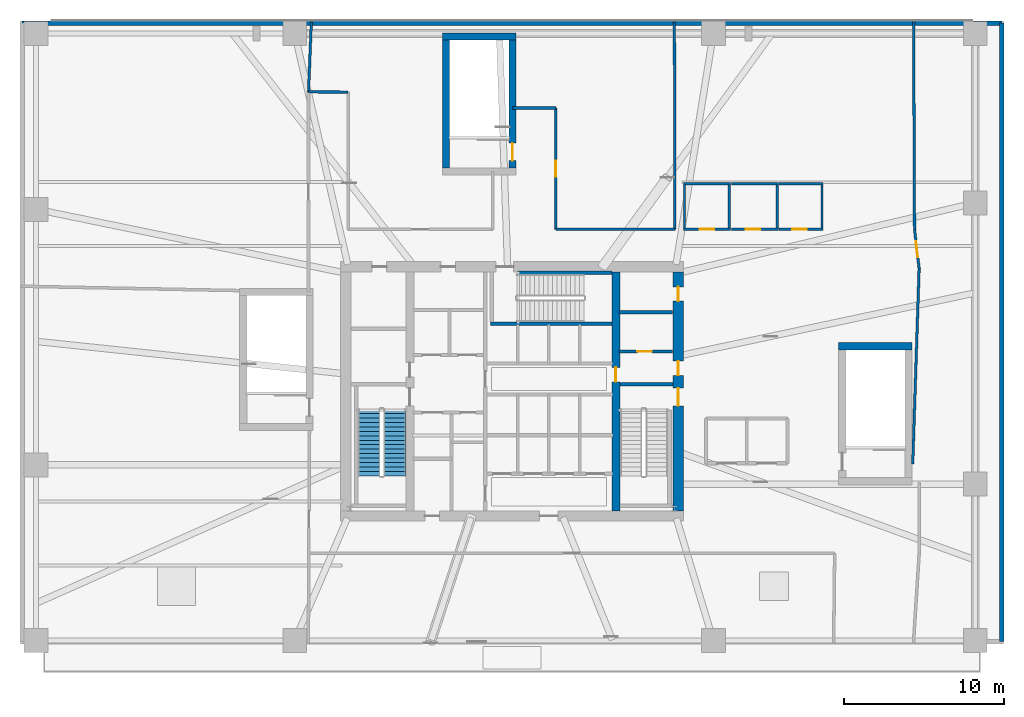
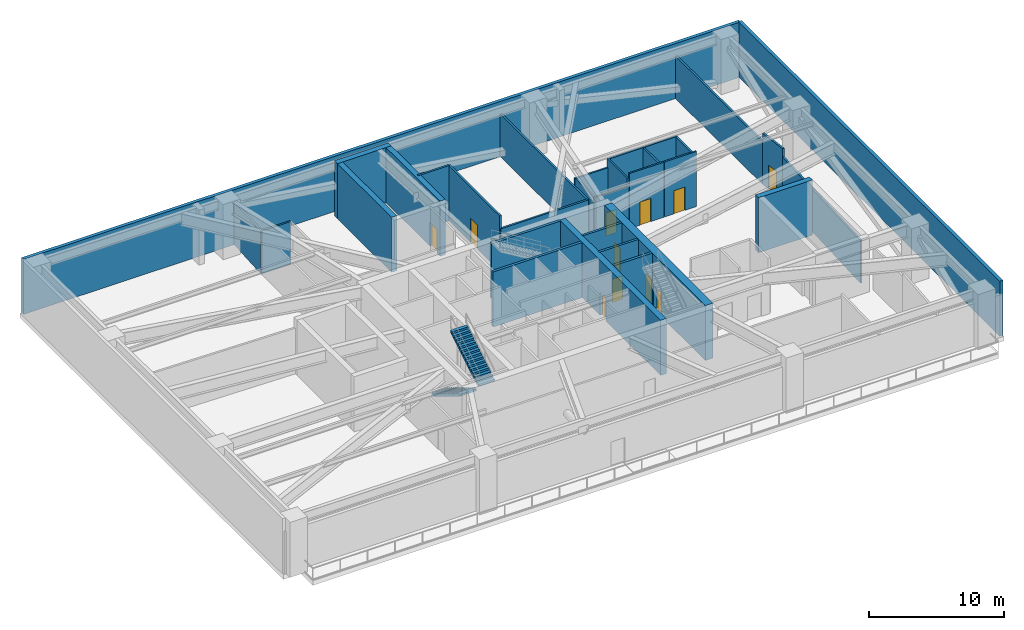
# One storey, part 6 of 10: 32 walls, 11 doors, 2 stair flights, 11 openings, 1 element without a shape of its own.
"""IFC4 building model written with IfcOpenShell, lengths in metres."""

from ifc_helpers import new_model, si_unit, direction, frame, frame_2d, origin, place, context, subcontext, project, spatial, polyline, rectangle, outline, extrude, material, layer, layer_set, type_object, element, fill, aggregate, save


model = new_model("IFC4")

# Units and contexts
model_context = context("Model", 3, precision=1e-05, world=origin(), true_north=direction((0.0, 1.0)))
body_context = subcontext(model_context, "Body", "Model", "MODEL_VIEW")
ifc_project = project(units=[si_unit("LENGTHUNIT", "METRE"), si_unit("AREAUNIT", "SQUARE_METRE"), si_unit("VOLUMEUNIT", "CUBIC_METRE"), si_unit("PLANEANGLEUNIT", "RADIAN"), si_unit("MASSUNIT", "GRAM", prefix="KILO")], contexts=[model_context])

# Site, building, storey
site_placement = place(None, origin())
site = spatial("IfcSite", under=ifc_project, at=site_placement, CompositionType="ELEMENT")
building_placement = place(site_placement, origin())
building = spatial("IfcBuilding", under=site, at=building_placement, Name="Qarnah Convention Tower", CompositionType="ELEMENT")
storey_placement = place(building_placement, frame((0.0, 0.0, 21.60009765625)))
storey = spatial("IfcBuildingStorey", under=building, at=storey_placement, Name="L04", CompositionType="ELEMENT", Elevation=21.60009765625)

# Wall, openings, doors
ifc_material_1 = material(Name="Concrete C60/75", Category="concrete")
ifc_layer_1 = layer(ifc_material_1, 0.64990234375)
ifc_layer_set_1 = layer_set([ifc_layer_1], Name="Concrete C60/75")
wall_type_1 = type_object("IfcWallType", Name="WL-CORE-650", PredefinedType="SHEAR", material=ifc_layer_set_1)
wall_1_placement = place(storey_placement, frame((47.60009765625, 18.925048828125, 0.0), z_axis=(0.0, 0.0, 1.0), x_axis=(0.0, 1.0, 0.0)))
wall_1 = element("IfcWall", 1, at=wall_1_placement, inside=storey, type_object=wall_type_1, Name="L04 core east shear wall", PredefinedType="SHEAR", context=body_context, shape_type="SweptSolid", body=[
    extrude(rectangle(XDim=14.949951171875, YDim=0.64990234375, at=frame_2d((7.47509765625, 0.0))), origin(), (0.0, 0.0, 1.0), 4.97998046875),
])
opening_1_placement = place(wall_1_placement, frame((6.574951171875, 0.0, 0.0)))
opening_1 = element("IfcOpeningElement", 2, at=opening_1_placement, cuts=wall_1, Name="Opening D-0402", PredefinedType="OPENING", context=body_context, shape_type="SweptSolid", body=[
    extrude(rectangle(XDim=1.10009765625, YDim=2.14990234375, at=frame_2d((0.550048828125, 1.074951171875))), frame((0.0, 0.3349609375, 0.0), z_axis=(0.0, -1.0, 0.0), x_axis=(1.0, 0.0, 0.0)), (0.0, 0.0, 1.0), 0.669921875),
])
opening_2_placement = place(wall_1_placement, frame((8.47509765625, 0.0, 0.0)))
opening_2 = element("IfcOpeningElement", 3, at=opening_2_placement, cuts=wall_1, Name="Opening D-0406", PredefinedType="OPENING", context=body_context, shape_type="SweptSolid", body=[
    extrude(rectangle(XDim=0.89990234375, YDim=2.10009765625, at=frame_2d((0.449951171875, 1.050048828125))), frame((0.0, 0.3349609375, 0.0), z_axis=(0.0, -1.0, 0.0), x_axis=(1.0, 0.0, 0.0)), (0.0, 0.0, 1.0), 0.669921875),
])
opening_3_placement = place(wall_1_placement, frame((13.125, 0.0, 0.0)))
opening_3 = element("IfcOpeningElement", 4, at=opening_3_placement, cuts=wall_1, Name="Opening D-0412", PredefinedType="OPENING", context=body_context, shape_type="SweptSolid", body=[
    extrude(rectangle(XDim=0.89990234375, YDim=2.10009765625, at=frame_2d((0.449951171875, 1.050048828125))), frame((0.0, 0.3349609375, 0.0), z_axis=(0.0, -1.0, 0.0), x_axis=(1.0, 0.0, 0.0)), (0.0, 0.0, 1.0), 0.669921875),
])
ifc_material_2 = material(Name="Structural steel S355JR", Category="steel")
door_type_1 = type_object("IfcDoorType", Name="DT-RISER-900", OperationType="NOTDEFINED", PredefinedType="DOOR", material=ifc_material_2)
door_1_placement = place(opening_2_placement, origin())
door_1 = element("IfcDoor", 5, at=door_1_placement, inside=storey, type_object=door_type_1, Name="Door D-0406", OperationType="SINGLE_SWING_LEFT", OverallHeight=2.10009765625, OverallWidth=0.89990234375, PredefinedType="DOOR", context=body_context, shape_type="SweptSolid", body=[
    extrude(rectangle(XDim=0.89990234375, YDim=2.10009765625, at=frame_2d((0.449951171875, 1.050048828125))), frame((0.0, 0.02490234375, 0.0), z_axis=(0.0, -1.0, 0.0), x_axis=(1.0, 0.0, 0.0)), (0.0, 0.0, 1.0), 0.050048828125),
])
fill(opening_2, door_1)
door_2_placement = place(opening_3_placement, origin())
door_2 = element("IfcDoor", 6, at=door_2_placement, inside=storey, type_object=door_type_1, Name="Door D-0412", OperationType="SINGLE_SWING_LEFT", OverallHeight=2.10009765625, OverallWidth=0.89990234375, PredefinedType="DOOR", context=body_context, shape_type="SweptSolid", body=[
    extrude(rectangle(XDim=0.89990234375, YDim=2.10009765625, at=frame_2d((0.449951171875, 1.050048828125))), frame((0.0, 0.02490234375, 0.0), z_axis=(0.0, -1.0, 0.0), x_axis=(1.0, 0.0, 0.0)), (0.0, 0.0, 1.0), 0.050048828125),
])
fill(opening_3, door_2)
door_type_2 = type_object("IfcDoorType", Name="DT-STAIR-1100", OperationType="NOTDEFINED", PredefinedType="DOOR", material=ifc_material_2)
door_3_placement = place(opening_1_placement, origin())
door_3 = element("IfcDoor", 7, at=door_3_placement, inside=storey, type_object=door_type_2, Name="Door D-0402", OperationType="SINGLE_SWING_LEFT", OverallHeight=2.14990234375, OverallWidth=1.10009765625, PredefinedType="DOOR", context=body_context, shape_type="SweptSolid", body=[
    extrude(rectangle(XDim=1.10009765625, YDim=2.14990234375, at=frame_2d((0.550048828125, 1.074951171875))), frame((0.0, 0.02490234375, 0.0), z_axis=(0.0, -1.0, 0.0), x_axis=(1.0, 0.0, 0.0)), (0.0, 0.0, 1.0), 0.050048828125),
])
fill(opening_1, door_3)

# Wall, opening, door
ifc_layer_2 = layer(ifc_material_1, 0.5)
ifc_layer_set_2 = layer_set([ifc_layer_2], Name="Concrete C60/75")
wall_type_2 = type_object("IfcWallType", Name="WL-CORE-INT-400", PredefinedType="SHEAR", material=ifc_layer_set_2)
wall_2_placement = place(storey_placement, frame((43.699951171875, 18.925048828125, 0.0), z_axis=(0.0, 0.0, 1.0), x_axis=(0.0, 1.0, 0.0)))
wall_2 = element("IfcWall", 8, at=wall_2_placement, inside=storey, type_object=wall_type_2, Name="L04 core east spine shear wall", PredefinedType="SHEAR", context=body_context, shape_type="SweptSolid", body=[
    extrude(rectangle(XDim=14.949951171875, YDim=0.5, at=frame_2d((7.47509765625, 0.0))), origin(), (0.0, 0.0, 1.0), 4.97998046875),
])
opening_4_placement = place(wall_2_placement, frame((8.074951171875, 0.0, 0.0)))
opening_4 = element("IfcOpeningElement", 9, at=opening_4_placement, cuts=wall_2, Name="Opening D-0405", PredefinedType="OPENING", context=body_context, shape_type="SweptSolid", body=[
    extrude(rectangle(XDim=0.89990234375, YDim=2.10009765625, at=frame_2d((0.449951171875, 1.050048828125))), frame((0.0, 0.260009765625, 0.0), z_axis=(0.0, -1.0, 0.0), x_axis=(1.0, 0.0, 0.0)), (0.0, 0.0, 1.0), 0.52001953125),
])
door_4_placement = place(opening_4_placement, origin())
door_4 = element("IfcDoor", 10, at=door_4_placement, inside=storey, type_object=door_type_1, Name="Door D-0405", OperationType="SINGLE_SWING_RIGHT", OverallHeight=2.10009765625, OverallWidth=0.89990234375, PredefinedType="DOOR", context=body_context, shape_type="SweptSolid", body=[
    extrude(rectangle(XDim=0.89990234375, YDim=2.10009765625, at=frame_2d((0.449951171875, 1.050048828125))), frame((0.0, 0.02490234375, 0.0), z_axis=(0.0, -1.0, 0.0), x_axis=(1.0, 0.0, 0.0)), (0.0, 0.0, 1.0), 0.050048828125),
])
fill(opening_4, door_4)

ifc_material_3 = material(Name="Concrete C45/55", Category="concrete")
ifc_layer_3 = layer(ifc_material_3, 0.199951171875)
ifc_layer_set_3 = layer_set([ifc_layer_3], Name="Concrete C45/55")
wall_type_3 = type_object("IfcWallType", Name="WL-CORE-PART-200", PredefinedType="SOLIDWALL", material=ifc_layer_set_3)
wall_3_placement = place(storey_placement, frame((43.89990234375, 28.89990234375, 0.0), z_axis=(0.0, 0.0, 1.0), x_axis=(1.0, 0.0, 0.0)))
wall_3 = element("IfcWall", 11, at=wall_3_placement, inside=storey, type_object=wall_type_3, Name="L04 interior wall IW-L04-EVSTN", PredefinedType="SOLIDWALL", context=body_context, shape_type="SweptSolid", body=[
    extrude(rectangle(XDim=3.35009765625, YDim=0.199951171875, at=frame_2d((1.675048828125, 0.0))), origin(), (0.0, 0.0, 1.0), 4.97998046875),
])
opening_5_placement = place(wall_3_placement, frame((1.14990234375, 0.0, 0.0)))
opening_5 = element("IfcOpeningElement", 12, at=opening_5_placement, cuts=wall_3, Name="Opening D-0411", PredefinedType="OPENING", context=body_context, shape_type="SweptSolid", body=[
    extrude(rectangle(XDim=0.89990234375, YDim=2.10009765625, at=frame_2d((0.449951171875, 1.050048828125))), frame((0.0, 0.10986328125, 0.0), z_axis=(0.0, -1.0, 0.0), x_axis=(1.0, 0.0, 0.0)), (0.0, 0.0, 1.0), 0.219970703125),
])
door_5_placement = place(opening_5_placement, origin())
door_5 = element("IfcDoor", 13, at=door_5_placement, inside=storey, type_object=door_type_1, Name="Door D-0411", OperationType="SINGLE_SWING_RIGHT", OverallHeight=2.10009765625, OverallWidth=0.89990234375, PredefinedType="DOOR", context=body_context, shape_type="SweptSolid", body=[
    extrude(rectangle(XDim=0.89990234375, YDim=2.10009765625, at=frame_2d((0.449951171875, 1.050048828125))), frame((0.0, 0.02490234375, 0.0), z_axis=(0.0, -1.0, 0.0), x_axis=(1.0, 0.0, 0.0)), (0.0, 0.0, 1.0), 0.050048828125),
])
fill(opening_5, door_5)

# Walls
wall_4_placement = place(storey_placement, frame((43.89990234375, 31.35009765625, 0.0), z_axis=(0.0, 0.0, 1.0), x_axis=(1.0, 0.0, 0.0)))
element("IfcWall", 14, at=wall_4_placement, inside=storey, type_object=wall_type_3, Name="L04 interior wall IW-L04-WTRN", PredefinedType="SOLIDWALL", context=body_context, shape_type="SweptSolid", body=[
    extrude(rectangle(XDim=3.35009765625, YDim=0.199951171875, at=frame_2d((1.675048828125, 0.0))), origin(), (0.0, 0.0, 1.0), 4.97998046875),
])
ifc_layer_4 = layer(ifc_material_1, 0.219970703125)
ifc_layer_set_4 = layer_set([ifc_layer_4], Name="Concrete C60/75")
wall_type_4 = type_object("IfcWallType", Name="WL-CORE-STAIR-220", PredefinedType="SHEAR", material=ifc_layer_set_4)
wall_5_placement = place(storey_placement, frame((43.949951171875, 26.860107421875, 0.0), z_axis=(0.0, 0.0, 1.0), x_axis=(1.0, 0.0, 0.0)))
element("IfcWall", 15, at=wall_5_placement, inside=storey, type_object=wall_type_4, Name="L04 stair shaft shear wall SW-L04-ST2N", PredefinedType="SHEAR", context=body_context, shape_type="SweptSolid", body=[
    extrude(rectangle(XDim=3.324951171875, YDim=0.219970703125, at=frame_2d((1.66259765625, 0.0))), origin(), (0.0, 0.0, 1.0), 4.97998046875),
])
wall_6_placement = place(storey_placement, frame((35.840087890625, 30.639892578125, 0.0), z_axis=(0.0, 0.0, 1.0), x_axis=(1.0, 0.0, 0.0)))
element("IfcWall", 16, at=wall_6_placement, inside=storey, type_object=wall_type_4, Name="L04 stair shaft shear wall SW-L04-ST3S", PredefinedType="SHEAR", context=body_context, shape_type="SweptSolid", body=[
    extrude(rectangle(XDim=7.60986328125, YDim=0.219970703125, at=frame_2d((3.804931640625, 0.0))), origin(), (0.0, 0.0, 1.0), 4.97998046875),
])
wall_7_placement = place(storey_placement, frame((37.550048828125, 33.840087890625, 0.0), z_axis=(0.0, 0.0, 1.0), x_axis=(1.0, 0.0, 0.0)))
element("IfcWall", 17, at=wall_7_placement, inside=storey, type_object=wall_type_4, Name="L04 stair shaft shear wall SW-L04-ST3N", PredefinedType="SHEAR", context=body_context, shape_type="SweptSolid", body=[
    extrude(rectangle(XDim=5.89990234375, YDim=0.219970703125, at=frame_2d((2.949951171875, 0.0))), origin(), (0.0, 0.0, 1.0), 4.97998046875),
])
ifc_material_4 = material(Name="Gypsum partition board")
ifc_layer_5 = layer(ifc_material_4, 0.159912109375)
ifc_layer_set_5 = layer_set([ifc_layer_5], Name="Gypsum partition board")
wall_type_5 = type_object("IfcWallType", Name="WL-CORR-160", PredefinedType="PARTITIONING", material=ifc_layer_set_5)
wall_8_placement = place(storey_placement, frame((24.4599609375, 45.139892578125, 0.0), z_axis=(0.0, 0.0, 1.0), x_axis=(0.040507266643, 0.999179243854, 0.0)))
element("IfcWall", 18, at=wall_8_placement, inside=storey, type_object=wall_type_5, Name="L04 interior wall IW-L04-R-14", PredefinedType="PARTITIONING", context=body_context, shape_type="SweptSolid", body=[
    extrude(rectangle(XDim=4.393798828125, YDim=0.159912109375, at=frame_2d((2.19677734375, 0.0))), origin(), (0.0, 0.0, 1.0), 3.846923828125),
])
wall_9_placement = place(storey_placement, frame((24.4599609375, 45.14599609375, 0.0), z_axis=(0.0, 0.0, 1.0), x_axis=(0.999996971472, -0.002461106939, 0.0)))
element("IfcWall", 19, at=wall_9_placement, inside=storey, type_object=wall_type_5, Name="L04 interior wall IW-L04-R-17", PredefinedType="PARTITIONING", context=body_context, shape_type="SweptSolid", body=[
    extrude(rectangle(XDim=2.47998046875, YDim=0.159912109375, at=frame_2d((1.239990234375, 0.0))), origin(), (0.0, 0.0, 1.0), 3.846923828125),
])
wall_10_placement = place(storey_placement, frame((37.22509765625, 44.139892578125, 0.0), z_axis=(0.0, 0.0, 1.0), x_axis=(1.0, 0.0, 0.0)))
element("IfcWall", 20, at=wall_10_placement, inside=storey, type_object=wall_type_5, Name="L04 interior wall IW-L04-R-21", PredefinedType="PARTITIONING", context=body_context, shape_type="SweptSolid", body=[
    extrude(rectangle(XDim=2.71484375, YDim=0.159912109375, at=frame_2d((1.357421875, 0.0))), origin(), (0.0, 0.0, 1.0), 4.97998046875),
])

# Wall, opening, door
wall_11_placement = place(storey_placement, frame((39.93994140625, 44.139892578125, 0.0), z_axis=(0.0, 0.0, 1.0), x_axis=(0.0, -1.0, 0.0)))
wall_11 = element("IfcWall", 21, at=wall_11_placement, inside=storey, type_object=wall_type_5, Name="L04 interior wall IW-L04-R-22", PredefinedType="PARTITIONING", context=body_context, shape_type="SweptSolid", body=[
    extrude(rectangle(XDim=7.599853515625, YDim=0.159912109375, at=frame_2d((3.7998046875, 0.0))), origin(), (0.0, 0.0, 1.0), 4.97998046875),
])
opening_6_placement = place(wall_11_placement, frame((3.300048828125, 0.0, 0.0)))
opening_6 = element("IfcOpeningElement", 22, at=opening_6_placement, cuts=wall_11, Name="Opening D-0426", PredefinedType="OPENING", context=body_context, shape_type="SweptSolid", body=[
    extrude(rectangle(XDim=1.0, YDim=2.14990234375, at=frame_2d((0.5, 1.074951171875))), frame((0.0, 0.08984375, 0.0), z_axis=(0.0, -1.0, 0.0), x_axis=(1.0, 0.0, 0.0)), (0.0, 0.0, 1.0), 0.179931640625),
])
ifc_material_5 = material(Name="Oak timber veneer", Category="wood")
door_type_3 = type_object("IfcDoorType", Name="DT-OFFICE-1000", OperationType="NOTDEFINED", PredefinedType="DOOR", material=ifc_material_5)
door_6_placement = place(opening_6_placement, origin())
door_6 = element("IfcDoor", 23, at=door_6_placement, inside=storey, type_object=door_type_3, Name="Door D-0426", OperationType="SINGLE_SWING_LEFT", OverallHeight=2.14990234375, OverallWidth=1.0, PredefinedType="DOOR", context=body_context, shape_type="SweptSolid", body=[
    extrude(rectangle(XDim=1.0, YDim=2.14990234375, at=frame_2d((0.5, 1.074951171875))), frame((0.0, 0.02490234375, 0.0), z_axis=(0.0, -1.0, 0.0), x_axis=(1.0, 0.0, 0.0)), (0.0, 0.0, 1.0), 0.050048828125),
])
fill(opening_6, door_6)

# Walls
wall_12_placement = place(storey_placement, frame((39.93994140625, 36.5400390625, 0.0), z_axis=(0.0, 0.0, 1.0), x_axis=(1.0, 0.0, 0.0)))
element("IfcWall", 24, at=wall_12_placement, inside=storey, type_object=wall_type_5, Name="L04 interior wall IW-L04-R-23", PredefinedType="PARTITIONING", context=body_context, shape_type="SweptSolid", body=[
    extrude(rectangle(XDim=7.4599609375, YDim=0.159912109375, at=frame_2d((3.72998046875, 0.0))), origin(), (0.0, 0.0, 1.0), 3.846923828125),
])
wall_13_placement = place(storey_placement, frame((47.39990234375, 36.5400390625, 0.0), z_axis=(0.0, 0.0, 1.0), x_axis=(-0.002462629999, 0.999996967722, 0.0)))
element("IfcWall", 25, at=wall_13_placement, inside=storey, type_object=wall_type_5, Name="L04 interior wall IW-L04-R-24", PredefinedType="PARTITIONING", context=body_context, shape_type="SweptSolid", body=[
    extrude(rectangle(XDim=12.987060546875, YDim=0.159912109375, at=frame_2d((6.49365234375, 0.0))), origin(), (0.0, 0.0, 1.0), 3.846923828125),
])
wall_14_placement = place(storey_placement, frame((62.341064453125, 49.5458984375, 0.0), z_axis=(0.0, 0.0, 1.0), x_axis=(0.004523906252, -0.999989767084, 0.0)))
element("IfcWall", 26, at=wall_14_placement, inside=storey, type_object=wall_type_5, Name="L04 interior wall IW-L04-R-25", PredefinedType="PARTITIONING", context=body_context, shape_type="SweptSolid", body=[
    extrude(rectangle(XDim=13.006103515625, YDim=0.159912109375, at=frame_2d((6.5029296875, 0.0))), origin(), (0.0, 0.0, 1.0), 3.846923828125),
])

# Wall, opening, door
wall_15_placement = place(storey_placement, frame((62.39990234375, 36.5400390625, 0.0), z_axis=(0.0, 0.0, 1.0), x_axis=(0.116160443909, -0.993230462315, 0.0)))
wall_15 = element("IfcWall", 27, at=wall_15_placement, inside=storey, type_object=wall_type_5, Name="L04 interior wall IW-L04-R-26", PredefinedType="PARTITIONING", context=body_context, shape_type="SweptSolid", body=[
    extrude(rectangle(XDim=2.496826171875, YDim=0.159912109375, at=frame_2d((1.24853515625, 0.0))), origin(), (0.0, 0.0, 1.0), 4.60888671875),
])
opening_7_placement = place(wall_15_placement, frame((0.748046875, 0.0, 0.0)))
opening_7 = element("IfcOpeningElement", 28, at=opening_7_placement, cuts=wall_15, Name="Opening D-0427", PredefinedType="OPENING", context=body_context, shape_type="SweptSolid", body=[
    extrude(rectangle(XDim=1.0, YDim=2.14990234375, at=frame_2d((0.5, 1.074951171875))), frame((0.0, 0.08984375, 0.0), z_axis=(0.0, -1.0, 0.0), x_axis=(1.0, 0.0, 0.0)), (0.0, 0.0, 1.0), 0.179931640625),
])
door_7_placement = place(opening_7_placement, origin())
door_7 = element("IfcDoor", 29, at=door_7_placement, inside=storey, type_object=door_type_3, Name="Door D-0427", OperationType="SINGLE_SWING_RIGHT", OverallHeight=2.14990234375, OverallWidth=1.0, PredefinedType="DOOR", context=body_context, shape_type="SweptSolid", body=[
    extrude(rectangle(XDim=1.0, YDim=2.14990234375, at=frame_2d((0.5, 1.074951171875))), frame((0.0, 0.02490234375, 0.0), z_axis=(0.0, -1.0, 0.0), x_axis=(1.0, 0.0, 0.0)), (0.0, 0.0, 1.0), 0.050048828125),
])
fill(opening_7, door_7)

# Walls
wall_16_placement = place(storey_placement, frame((62.68603515625, 34.093017578125, 0.0), z_axis=(0.0, 0.0, 1.0), x_axis=(-0.032729804283, -0.999464236435, 0.0)))
element("IfcWall", 30, at=wall_16_placement, inside=storey, type_object=wall_type_5, Name="L04 interior wall IW-L04-R-27", PredefinedType="PARTITIONING", context=body_context, shape_type="SweptSolid", body=[
    extrude(rectangle(XDim=12.255615234375, YDim=0.159912109375, at=frame_2d((6.1279296875, 0.0))), origin(), (0.0, 0.0, 1.0), 3.846923828125),
])
ifc_material_6 = material(Name="Precast concrete C45/55", Category="concrete")
ifc_layer_6 = layer(ifc_material_6, 0.280029296875)
ifc_layer_set_6 = layer_set([ifc_layer_6], Name="Precast concrete C45/55")
wall_type_6 = type_object("IfcWallType", Name="WL-EXT-POD-280", PredefinedType="SOLIDWALL", material=ifc_layer_set_6)
wall_17_placement = place(storey_placement, frame((6.5400390625, 49.4599609375, 0.0), z_axis=(0.0, 0.0, 1.0), x_axis=(1.0, 0.0, 0.0)))
element("IfcWall", 31, at=wall_17_placement, inside=storey, type_object=wall_type_6, Name="L04 precast facade wall N", PredefinedType="SOLIDWALL", context=body_context, shape_type="SweptSolid", body=[
    extrude(rectangle(XDim=61.320068359375, YDim=0.280029296875, at=frame_2d((30.66015625, 0.0))), origin(), (0.0, 0.0, 1.0), 4.97998046875),
])
wall_18_placement = place(storey_placement, frame((67.860107421875, 49.4599609375, 0.0), z_axis=(0.0, 0.0, 1.0), x_axis=(0.0, -1.0, 0.0)))
element("IfcWall", 32, at=wall_18_placement, inside=storey, type_object=wall_type_6, Name="L04 precast facade wall E", PredefinedType="SOLIDWALL", context=body_context, shape_type="SweptSolid", body=[
    extrude(rectangle(XDim=38.719970703125, YDim=0.280029296875, at=frame_2d((19.35986328125, 0.0))), origin(), (0.0, 0.0, 1.0), 4.97998046875),
])
ifc_layer_7 = layer(ifc_material_1, 0.449951171875)
ifc_layer_set_7 = layer_set([ifc_layer_7], Name="Concrete C60/75")
wall_type_7 = type_object("IfcWallType", Name="WL-POD-CORE-450", PredefinedType="SHEAR", material=ifc_layer_set_7)
wall_19_placement = place(storey_placement, frame((57.64990234375, 29.22509765625, 0.0), z_axis=(0.0, 0.0, 1.0), x_axis=(1.0, 0.0, 0.0)))
element("IfcWall", 33, at=wall_19_placement, inside=storey, type_object=wall_type_7, Name="L04 podium stair ST-4 north wall", PredefinedType="SHEAR", context=body_context, shape_type="SweptSolid", body=[
    extrude(rectangle(XDim=4.60009765625, YDim=0.449951171875, at=frame_2d((2.300048828125, 0.0))), origin(), (0.0, 0.0, 1.0), 4.97998046875),
])
wall_20_placement = place(storey_placement, frame((32.85009765625, 48.625, 0.0), z_axis=(0.0, 0.0, 1.0), x_axis=(1.0, 0.0, 0.0)))
element("IfcWall", 34, at=wall_20_placement, inside=storey, type_object=wall_type_7, Name="L04 podium stair ST-6 north wall", PredefinedType="SHEAR", context=body_context, shape_type="SweptSolid", body=[
    extrude(rectangle(XDim=4.599853515625, YDim=0.449951171875, at=frame_2d((2.2998046875, 0.0))), origin(), (0.0, 0.0, 1.0), 4.97998046875),
])
wall_21_placement = place(storey_placement, frame((33.074951171875, 40.39990234375, 0.0), z_axis=(0.0, 0.0, 1.0), x_axis=(0.0, 1.0, 0.0)))
element("IfcWall", 35, at=wall_21_placement, inside=storey, type_object=wall_type_7, Name="L04 podium stair ST-6 west wall", PredefinedType="SHEAR", context=body_context, shape_type="SweptSolid", body=[
    extrude(rectangle(XDim=8.0, YDim=0.449951171875, at=frame_2d((4.0, 0.0))), origin(), (0.0, 0.0, 1.0), 4.97998046875),
])

# Wall, opening, door
wall_22_placement = place(storey_placement, frame((37.22509765625, 40.39990234375, 0.0), z_axis=(0.0, 0.0, 1.0), x_axis=(0.0, 1.0, 0.0)))
wall_22 = element("IfcWall", 36, at=wall_22_placement, inside=storey, type_object=wall_type_7, Name="L04 podium stair ST-6 east wall", PredefinedType="SHEAR", context=body_context, shape_type="SweptSolid", body=[
    extrude(rectangle(XDim=8.0, YDim=0.449951171875, at=frame_2d((4.0, 0.0))), origin(), (0.0, 0.0, 1.0), 4.97998046875),
])
opening_8_placement = place(wall_22_placement, frame((0.449951171875, 0.0, 0.0)))
opening_8 = element("IfcOpeningElement", 37, at=opening_8_placement, cuts=wall_22, Name="Opening D-0418", PredefinedType="OPENING", context=body_context, shape_type="SweptSolid", body=[
    extrude(rectangle(XDim=1.10009765625, YDim=2.14990234375, at=frame_2d((0.550048828125, 1.074951171875))), frame((0.0, 0.23486328125, 0.0), z_axis=(0.0, -1.0, 0.0), x_axis=(1.0, 0.0, 0.0)), (0.0, 0.0, 1.0), 0.469970703125),
])
door_8_placement = place(opening_8_placement, origin())
door_8 = element("IfcDoor", 38, at=door_8_placement, inside=storey, type_object=door_type_2, Name="Door D-0418", OperationType="SINGLE_SWING_LEFT", OverallHeight=2.14990234375, OverallWidth=1.10009765625, PredefinedType="DOOR", context=body_context, shape_type="SweptSolid", body=[
    extrude(rectangle(XDim=1.10009765625, YDim=2.14990234375, at=frame_2d((0.550048828125, 1.074951171875))), frame((0.0, 0.02490234375, 0.0), z_axis=(0.0, -1.0, 0.0), x_axis=(1.0, 0.0, 0.0)), (0.0, 0.0, 1.0), 0.050048828125),
])
fill(opening_8, door_8)

ifc_layer_8 = layer(ifc_material_4, 0.139892578125)
ifc_layer_set_8 = layer_set([ifc_layer_8], Name="Gypsum partition board")
wall_type_8 = type_object("IfcWallType", Name="WL-WET-140", PredefinedType="PARTITIONING", material=ifc_layer_set_8)
wall_23_placement = place(storey_placement, frame((47.929931640625, 36.550048828125, 0.0), z_axis=(0.0, 0.0, 1.0), x_axis=(1.0, 0.0, 0.0)))
wall_23 = element("IfcWall", 39, at=wall_23_placement, inside=storey, type_object=wall_type_8, Name="L04 interior wall IW-L04-WCM-1", PredefinedType="PARTITIONING", context=body_context, shape_type="SweptSolid", body=[
    extrude(rectangle(XDim=2.940185546875, YDim=0.139892578125, at=frame_2d((1.47021484375, 0.0))), origin(), (0.0, 0.0, 1.0), 3.846923828125),
])
opening_9_placement = place(wall_23_placement, frame((1.010009765625, 0.0, 0.0)))
opening_9 = element("IfcOpeningElement", 40, at=opening_9_placement, cuts=wall_23, Name="Opening D-0419", PredefinedType="OPENING", context=body_context, shape_type="SweptSolid", body=[
    extrude(rectangle(XDim=0.919921875, YDim=2.10009765625, at=frame_2d((0.4599609375, 1.050048828125))), frame((0.0, 0.079833984375, 0.0), z_axis=(0.0, -1.0, 0.0), x_axis=(1.0, 0.0, 0.0)), (0.0, 0.0, 1.0), 0.159912109375),
])
door_type_4 = type_object("IfcDoorType", Name="DT-WC-920", OperationType="NOTDEFINED", PredefinedType="DOOR", material=ifc_material_5)
door_9_placement = place(opening_9_placement, origin())
door_9 = element("IfcDoor", 41, at=door_9_placement, inside=storey, type_object=door_type_4, Name="Door D-0419", OperationType="SINGLE_SWING_RIGHT", OverallHeight=2.10009765625, OverallWidth=0.919921875, PredefinedType="DOOR", context=body_context, shape_type="SweptSolid", body=[
    extrude(rectangle(XDim=0.919921875, YDim=2.10009765625, at=frame_2d((0.4599609375, 1.050048828125))), frame((0.0, 0.02490234375, 0.0), z_axis=(0.0, -1.0, 0.0), x_axis=(1.0, 0.0, 0.0)), (0.0, 0.0, 1.0), 0.050048828125),
])
fill(opening_9, door_9)

# Walls
wall_24_placement = place(storey_placement, frame((50.800048828125, 36.47998046875, 0.0), z_axis=(0.0, 0.0, 1.0), x_axis=(0.0, 1.0, 0.0)))
element("IfcWall", 42, at=wall_24_placement, inside=storey, type_object=wall_type_8, Name="L04 interior wall IW-L04-WCM-2", PredefinedType="PARTITIONING", context=body_context, shape_type="SweptSolid", body=[
    extrude(rectangle(XDim=2.989990234375, YDim=0.139892578125, at=frame_2d((1.4951171875, 0.0))), origin(), (0.0, 0.0, 1.0), 4.60888671875),
])
wall_25_placement = place(storey_placement, frame((50.8701171875, 39.39990234375, 0.0), z_axis=(0.0, 0.0, 1.0), x_axis=(-1.0, 0.0, 0.0)))
element("IfcWall", 43, at=wall_25_placement, inside=storey, type_object=wall_type_8, Name="L04 interior wall IW-L04-WCM-3", PredefinedType="PARTITIONING", context=body_context, shape_type="SweptSolid", body=[
    extrude(rectangle(XDim=2.940185546875, YDim=0.139892578125, at=frame_2d((1.47021484375, 0.0))), origin(), (0.0, 0.0, 1.0), 3.846923828125),
])
wall_26_placement = place(storey_placement, frame((48.0, 39.469970703125, 0.0), z_axis=(0.0, 0.0, 1.0), x_axis=(0.0, -1.0, 0.0)))
element("IfcWall", 44, at=wall_26_placement, inside=storey, type_object=wall_type_8, Name="L04 interior wall IW-L04-WCM-4", PredefinedType="PARTITIONING", context=body_context, shape_type="SweptSolid", body=[
    extrude(rectangle(XDim=2.989990234375, YDim=0.139892578125, at=frame_2d((1.4951171875, 0.0))), origin(), (0.0, 0.0, 1.0), 3.846923828125),
])

# Wall, opening, door
wall_27_placement = place(storey_placement, frame((50.929931640625, 36.550048828125, 0.0), z_axis=(0.0, 0.0, 1.0), x_axis=(1.0, 0.0, 0.0)))
wall_27 = element("IfcWall", 45, at=wall_27_placement, inside=storey, type_object=wall_type_8, Name="L04 interior wall IW-L04-WCF-1", PredefinedType="PARTITIONING", context=body_context, shape_type="SweptSolid", body=[
    extrude(rectangle(XDim=2.940185546875, YDim=0.139892578125, at=frame_2d((1.47021484375, 0.0))), origin(), (0.0, 0.0, 1.0), 4.97998046875),
])
opening_10_placement = place(wall_27_placement, frame((0.89990234375, 0.0, 0.0)))
opening_10 = element("IfcOpeningElement", 46, at=opening_10_placement, cuts=wall_27, Name="Opening D-0420", PredefinedType="OPENING", context=body_context, shape_type="SweptSolid", body=[
    extrude(rectangle(XDim=0.919921875, YDim=2.10009765625, at=frame_2d((0.4599609375, 1.050048828125))), frame((0.0, 0.079833984375, 0.0), z_axis=(0.0, -1.0, 0.0), x_axis=(1.0, 0.0, 0.0)), (0.0, 0.0, 1.0), 0.159912109375),
])
door_10_placement = place(opening_10_placement, origin())
door_10 = element("IfcDoor", 47, at=door_10_placement, inside=storey, type_object=door_type_4, Name="Door D-0420", OperationType="SINGLE_SWING_LEFT", OverallHeight=2.10009765625, OverallWidth=0.919921875, PredefinedType="DOOR", context=body_context, shape_type="SweptSolid", body=[
    extrude(rectangle(XDim=0.919921875, YDim=2.10009765625, at=frame_2d((0.4599609375, 1.050048828125))), frame((0.0, 0.02490234375, 0.0), z_axis=(0.0, -1.0, 0.0), x_axis=(1.0, 0.0, 0.0)), (0.0, 0.0, 1.0), 0.050048828125),
])
fill(opening_10, door_10)

# Walls
wall_28_placement = place(storey_placement, frame((53.800048828125, 36.47998046875, 0.0), z_axis=(0.0, 0.0, 1.0), x_axis=(0.0, 1.0, 0.0)))
element("IfcWall", 48, at=wall_28_placement, inside=storey, type_object=wall_type_8, Name="L04 interior wall IW-L04-WCF-2", PredefinedType="PARTITIONING", context=body_context, shape_type="SweptSolid", body=[
    extrude(rectangle(XDim=2.989990234375, YDim=0.139892578125, at=frame_2d((1.4951171875, 0.0))), origin(), (0.0, 0.0, 1.0), 4.60888671875),
])
wall_29_placement = place(storey_placement, frame((53.8701171875, 39.39990234375, 0.0), z_axis=(0.0, 0.0, 1.0), x_axis=(-1.0, 0.0, 0.0)))
element("IfcWall", 49, at=wall_29_placement, inside=storey, type_object=wall_type_8, Name="L04 interior wall IW-L04-WCF-3", PredefinedType="PARTITIONING", context=body_context, shape_type="SweptSolid", body=[
    extrude(rectangle(XDim=2.940185546875, YDim=0.139892578125, at=frame_2d((1.47021484375, 0.0))), origin(), (0.0, 0.0, 1.0), 4.60888671875),
])

# Wall, opening, door
wall_30_placement = place(storey_placement, frame((53.929931640625, 36.550048828125, 0.0), z_axis=(0.0, 0.0, 1.0), x_axis=(1.0, 0.0, 0.0)))
wall_30 = element("IfcWall", 50, at=wall_30_placement, inside=storey, type_object=wall_type_8, Name="L04 interior wall IW-L04-WCA-1", PredefinedType="PARTITIONING", context=body_context, shape_type="SweptSolid", body=[
    extrude(rectangle(XDim=2.739990234375, YDim=0.139892578125, at=frame_2d((1.3701171875, 0.0))), origin(), (0.0, 0.0, 1.0), 4.97998046875),
])
opening_11_placement = place(wall_30_placement, frame((0.81396484375, 0.0, 0.0)))
opening_11 = element("IfcOpeningElement", 51, at=opening_11_placement, cuts=wall_30, Name="Opening D-0421", PredefinedType="OPENING", context=body_context, shape_type="SweptSolid", body=[
    extrude(rectangle(XDim=0.919921875, YDim=2.10009765625, at=frame_2d((0.4599609375, 1.050048828125))), frame((0.0, 0.079833984375, 0.0), z_axis=(0.0, -1.0, 0.0), x_axis=(1.0, 0.0, 0.0)), (0.0, 0.0, 1.0), 0.159912109375),
])
door_11_placement = place(opening_11_placement, origin())
door_11 = element("IfcDoor", 52, at=door_11_placement, inside=storey, type_object=door_type_4, Name="Door D-0421", OperationType="SINGLE_SWING_RIGHT", OverallHeight=2.10009765625, OverallWidth=0.919921875, PredefinedType="DOOR", context=body_context, shape_type="SweptSolid", body=[
    extrude(rectangle(XDim=0.919921875, YDim=2.10009765625, at=frame_2d((0.4599609375, 1.050048828125))), frame((0.0, 0.02490234375, 0.0), z_axis=(0.0, -1.0, 0.0), x_axis=(1.0, 0.0, 0.0)), (0.0, 0.0, 1.0), 0.050048828125),
])
fill(opening_11, door_11)

# Walls
wall_31_placement = place(storey_placement, frame((56.60009765625, 36.47998046875, 0.0), z_axis=(0.0, 0.0, 1.0), x_axis=(0.0, 1.0, 0.0)))
element("IfcWall", 53, at=wall_31_placement, inside=storey, type_object=wall_type_8, Name="L04 interior wall IW-L04-WCA-2", PredefinedType="PARTITIONING", context=body_context, shape_type="SweptSolid", body=[
    extrude(rectangle(XDim=2.989990234375, YDim=0.139892578125, at=frame_2d((1.4951171875, 0.0))), origin(), (0.0, 0.0, 1.0), 4.60888671875),
])
wall_32_placement = place(storey_placement, frame((56.669921875, 39.39990234375, 0.0), z_axis=(0.0, 0.0, 1.0), x_axis=(-1.0, 0.0, 0.0)))
element("IfcWall", 54, at=wall_32_placement, inside=storey, type_object=wall_type_8, Name="L04 interior wall IW-L04-WCA-3", PredefinedType="PARTITIONING", context=body_context, shape_type="SweptSolid", body=[
    extrude(rectangle(XDim=2.739990234375, YDim=0.139892578125, at=frame_2d((1.3701171875, 0.0))), origin(), (0.0, 0.0, 1.0), 4.60888671875),
])

# Stair, stair flights
ifc_material_7 = material(Name="Concrete C50/60", Category="concrete")
stair_type = type_object("IfcStairType", Name="STR-POD", PredefinedType="HALF_TURN_STAIR", material=ifc_material_7)
stair_placement = place(storey_placement, origin())
stair = element("IfcStair", 55, at=stair_placement, inside=storey, type_object=stair_type, Name="L04 Core exit stair ST-1", PredefinedType="HALF_TURN_STAIR")
stair_flight_type = type_object("IfcStairFlightType", Name="FLT-POD", PredefinedType="STRAIGHT", material=ifc_material_7)
stair_flight_1_placement = place(storey_placement, frame((28.25, 25.300048828125, 0.0), z_axis=(0.0, 0.0, 1.0), x_axis=(0.0, -1.0, 0.0)))
stair_flight_1 = element("IfcStairFlight", 56, at=stair_flight_1_placement, type_object=stair_flight_type, Name="ST-1 flight 1", NumberOfRisers=16, NumberOfTreads=15, PredefinedType="STRAIGHT", RiserHeight=0.16875, TreadLength=0.28, context=body_context, shape_type="SweptSolid", body=[
    extrude(outline(polyline([(0.0, 0.0), (0.0, 0.168701171875), (0.280029296875, 0.168701171875), (0.280029296875, 0.33740234375), (0.56005859375, 0.33740234375), (0.56005859375, 0.50634765625), (0.840087890625, 0.50634765625), (0.840087890625, 0.675048828125), (1.1201171875, 0.675048828125), (1.1201171875, 0.84375), (1.39990234375, 0.84375), (1.39990234375, 1.012451171875), (1.679931640625, 1.012451171875), (1.679931640625, 1.18115234375), (1.9599609375, 1.18115234375), (1.9599609375, 1.35009765625), (2.239990234375, 1.35009765625), (2.239990234375, 1.518798828125), (2.52001953125, 1.518798828125), (2.52001953125, 1.6875), (2.800048828125, 1.6875), (2.800048828125, 1.856201171875), (3.080078125, 1.856201171875), (3.080078125, 2.02490234375), (3.360107421875, 2.02490234375), (3.360107421875, 2.19384765625), (3.639892578125, 2.19384765625), (3.639892578125, 2.362548828125), (3.919921875, 2.362548828125), (3.919921875, 2.53125), (4.199951171875, 2.53125), (4.199951171875, 2.699951171875), (4.199951171875, 2.356201171875), (0.29052734375, 0.0), (0.0, 0.0)])), frame((0.0, 0.699951171875, 0.0), z_axis=(0.0, -1.0, 0.0), x_axis=(1.0, 0.0, 0.0)), (0.0, 0.0, 1.0), 1.39990234375),
])
stair_flight_2_placement = place(storey_placement, frame((29.85009765625, 21.10009765625, 2.699951171875), z_axis=(0.0, 0.0, 1.0), x_axis=(0.0, 1.0, 0.0)))
stair_flight_2 = element("IfcStairFlight", 57, at=stair_flight_2_placement, type_object=stair_flight_type, Name="ST-1 flight 2", NumberOfRisers=16, NumberOfTreads=15, PredefinedType="STRAIGHT", RiserHeight=0.16875, TreadLength=0.28, context=body_context, shape_type="SweptSolid", body=[
    extrude(outline(polyline([(0.0, 0.0), (0.0, 0.168701171875), (0.280029296875, 0.168701171875), (0.280029296875, 0.33740234375), (0.56005859375, 0.33740234375), (0.56005859375, 0.50634765625), (0.840087890625, 0.50634765625), (0.840087890625, 0.675048828125), (1.1201171875, 0.675048828125), (1.1201171875, 0.84375), (1.39990234375, 0.84375), (1.39990234375, 1.012451171875), (1.679931640625, 1.012451171875), (1.679931640625, 1.18115234375), (1.9599609375, 1.18115234375), (1.9599609375, 1.35009765625), (2.239990234375, 1.35009765625), (2.239990234375, 1.518798828125), (2.52001953125, 1.518798828125), (2.52001953125, 1.6875), (2.800048828125, 1.6875), (2.800048828125, 1.856201171875), (3.080078125, 1.856201171875), (3.080078125, 2.02490234375), (3.360107421875, 2.02490234375), (3.360107421875, 2.19384765625), (3.639892578125, 2.19384765625), (3.639892578125, 2.362548828125), (3.919921875, 2.362548828125), (3.919921875, 2.53125), (4.199951171875, 2.53125), (4.199951171875, 2.699951171875), (4.199951171875, 2.356201171875), (0.29052734375, 0.0), (0.0, 0.0)])), frame((0.0, 0.699951171875, 0.0), z_axis=(0.0, -1.0, 0.0), x_axis=(1.0, 0.0, 0.0)), (0.0, 0.0, 1.0), 1.39990234375),
])
aggregate(stair, [stair_flight_1, stair_flight_2])

save(model, "model.ifc")
